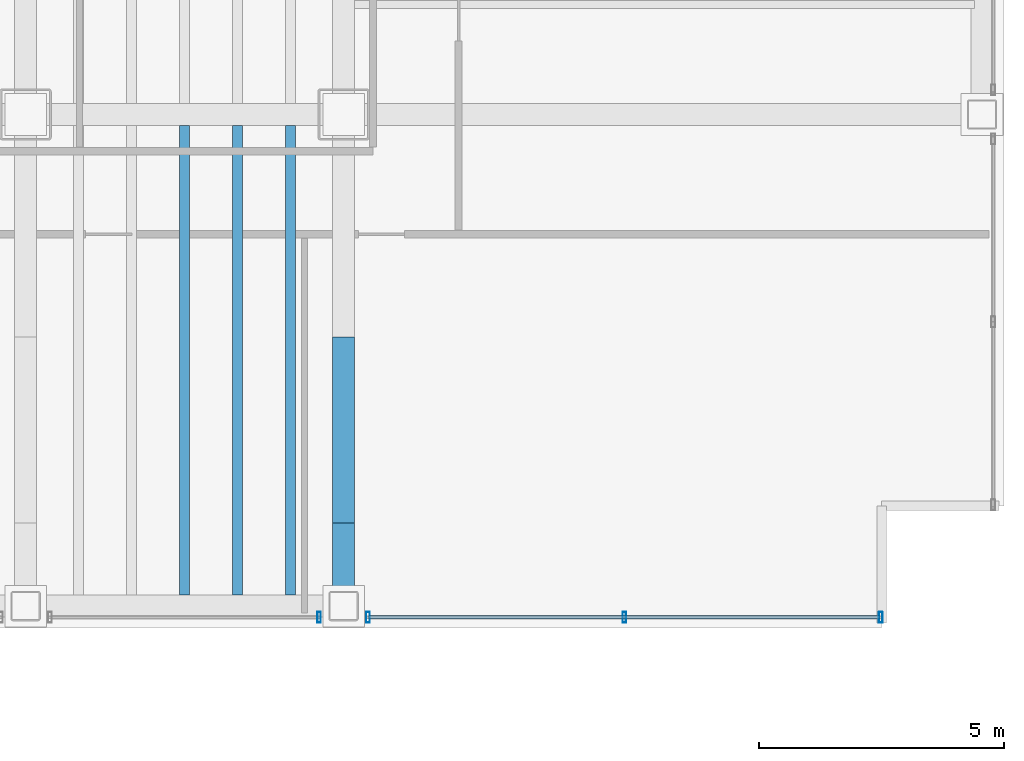
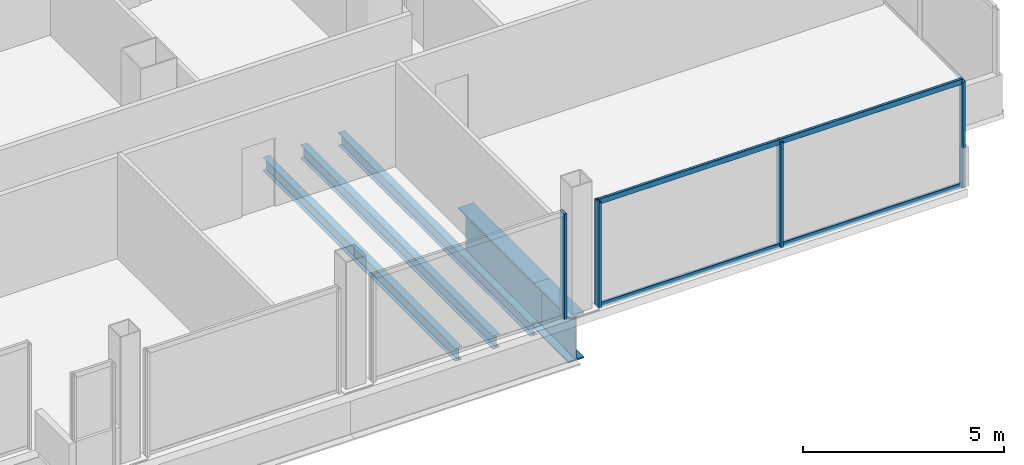
# One storey, part 9 of 21: 6 members, 5 beams, 2 elements without a shape of their own.
"""IFC4 building model written with IfcOpenShell, lengths in metres."""

from ifc_helpers import new_model, si_unit, direction, frame, origin, origin_2d, place, context, subcontext, project, spatial, hollow_rectangle, i_section, extrude, material, material_profile, profile_set, type_object, element, aggregate, save


model = new_model("IFC4")

# Units and contexts
model_context = context("Model", 3, precision=1e-05, world=origin(), true_north=direction((0.0, 1.0)))
body_context = subcontext(model_context, "Body", "Model", "MODEL_VIEW")
ifc_project = project(units=[si_unit("LENGTHUNIT", "METRE"), si_unit("AREAUNIT", "SQUARE_METRE"), si_unit("VOLUMEUNIT", "CUBIC_METRE"), si_unit("PLANEANGLEUNIT", "RADIAN"), si_unit("MASSUNIT", "GRAM", prefix="KILO")], contexts=[model_context])

# Site, building, storey
site_placement = place(None, origin())
site = spatial("IfcSite", under=ifc_project, at=site_placement, CompositionType="ELEMENT")
building_placement = place(site_placement, origin())
building = spatial("IfcBuilding", under=site, at=building_placement, Name="Noeulbin Bourse Tower", CompositionType="ELEMENT")
storey_placement = place(building_placement, frame((0.0, 0.0, 81.10009765625)))
storey = spatial("IfcBuildingStorey", under=building, at=storey_placement, Name="L20", CompositionType="ELEMENT", Elevation=81.10009765625)

# Beams
ifc_material_1 = material(Name="Steel S355", Category="steel")
ifc_material_profile_1 = material_profile(ifc_material_1, i_section(OverallWidth=0.199951171875, OverallDepth=0.39990234375, WebThickness=0.008056640625, FlangeThickness=0.012939453125, FilletRadius=0.01611328125, at=origin_2d()), Name="H-400x200x8x13", Category="LoadBearing")
ifc_profile_set_1 = profile_set([ifc_material_profile_1], Name="Steel S355")
beam_type_1 = type_object("IfcBeamType", Name="BM-SEC-400", PredefinedType="BEAM", material=ifc_profile_set_1)
for number, where, z_axis, x_axis, name in (
    (1, (40.75, 10.175048828125, -0.440185546875), (0.0, 1.0, 0.0), (-1.0, 0.0, 0.0), "Tower Composite Joist L20-61"),
    (2, (41.833251953125, 10.175048828125, -0.440185546875), (0.0, 1.0, 0.0), (-1.0, 0.0, 0.0), "Tower Composite Joist L20-64"),
    (3, (42.916748046875, 10.175048828125, -0.440185546875), (0.0, 1.0, 0.0), (-1.0, 0.0, 0.0), "Tower Composite Joist L20-67"),
):
    element("IfcBeam", number, at=place(storey_placement, frame(where, z_axis=z_axis, x_axis=x_axis)), inside=storey, type_object=beam_type_1, Name=name, PredefinedType="BEAM", context=body_context, shape_type="SweptSolid", body=[
        extrude(i_section(OverallWidth=0.199951171875, OverallDepth=0.39990234375, WebThickness=0.008056640625, FlangeThickness=0.012939453125, FilletRadius=0.01611328125, at=origin_2d()), origin(), (0.0, 0.0, 1.0), 9.599853515625),
    ])
ifc_material_2 = material(Name="Steel S460", Category="steel")
ifc_material_profile_2 = material_profile(ifc_material_2, i_section(OverallWidth=0.449951171875, OverallDepth=1.39990234375, WebThickness=0.02392578125, FlangeThickness=0.0400390625, FilletRadius=0.02392578125, at=origin_2d()), Name="PG-1400x450x24x40", Category="LoadBearing")
ifc_profile_set_2 = profile_set([ifc_material_profile_2], Name="Steel S460")
beam_type_2 = type_object("IfcBeamType", Name="BM-TRF-1400", PredefinedType="USERDEFINED", material=ifc_profile_set_2)
beam_1_placement = place(storey_placement, frame((44.0, 9.949951171875, -0.940185546875), z_axis=(0.0, 1.0, 0.0), x_axis=(-1.0, 0.0, 0.0)))
element("IfcBeam", 4, at=beam_1_placement, inside=storey, type_object=beam_type_2, Name="Tower Primary Girder NS L20-5.1", ObjectType="GIRDER", PredefinedType="USERDEFINED", context=body_context, shape_type="SweptSolid", body=[
    extrude(i_section(OverallWidth=0.449951171875, OverallDepth=1.39990234375, WebThickness=0.02392578125, FlangeThickness=0.0400390625, FilletRadius=0.02392578125, at=origin_2d()), origin(), (0.0, 0.0, 1.0), 1.699951171875),
])
beam_2_placement = place(storey_placement, frame((44.0, 11.64990234375, -0.940185546875), z_axis=(0.0, 1.0, 0.0), x_axis=(-1.0, 0.0, 0.0)))
element("IfcBeam", 5, at=beam_2_placement, inside=storey, type_object=beam_type_2, Name="Tower Primary Girder NS L20-5.2", ObjectType="GIRDER", PredefinedType="USERDEFINED", context=body_context, shape_type="SweptSolid", body=[
    extrude(i_section(OverallWidth=0.449951171875, OverallDepth=1.39990234375, WebThickness=0.02392578125, FlangeThickness=0.0400390625, FilletRadius=0.02392578125, at=origin_2d()), origin(), (0.0, 0.0, 1.0), 3.800048828125),
])

# Curtain wall, member
ifc_material_3 = material(Name="Dark Solar-Control Double Glazing", Category="glass")
curtain_wall_type = type_object("IfcCurtainWallType", Name="CW-SYS-2", PredefinedType="NOTDEFINED", material=ifc_material_3)
curtain_wall_1_placement = place(storey_placement, origin())
curtain_wall_1 = element("IfcCurtainWall", 6, at=curtain_wall_1_placement, inside=storey, type_object=curtain_wall_type, Name="Unitised Curtain Wall CW-L20-S3-S3", PredefinedType="NOTDEFINED")
ifc_material_4 = material(Name="Anodised Aluminium 6063-T6", Category="aluminium")
ifc_material_profile_3 = material_profile(ifc_material_4, hollow_rectangle(XDim=0.074951171875, YDim=0.219970703125, WallThickness=0.0048828125, InnerFilletRadius=0.00244140625, OuterFilletRadius=0.0048828125, at=origin_2d()), Name="ALU-MULL-75x220x5", Category="LoadBearing")
ifc_profile_set_3 = profile_set([ifc_material_profile_3], Name="Anodised Aluminium 6063-T6")
member_type_1 = type_object("IfcMemberType", Name="CW-SYS-2-MUL", PredefinedType="MULLION", material=ifc_profile_set_3)
member_1_placement = place(storey_placement, frame((43.5, 9.719970703125, -0.02001953125), z_axis=(0.0, 0.0, 1.0), x_axis=(1.0, 0.0, 0.0)))
member_1 = element("IfcMember", 7, at=member_1_placement, type_object=member_type_1, Name="Curtain Wall Mullion CW-L20-S3-S3-M01", PredefinedType="MULLION", context=body_context, shape_type="SweptSolid", body=[
    extrude(hollow_rectangle(XDim=0.074951171875, YDim=0.219970703125, WallThickness=0.0048828125, InnerFilletRadius=0.00244140625, OuterFilletRadius=0.0048828125, at=origin_2d()), origin(), (0.0, 0.0, 1.0), 3.219970703125),
])
aggregate(curtain_wall_1, [member_1])

# Curtain wall, members
curtain_wall_2_placement = place(storey_placement, origin())
curtain_wall_2 = element("IfcCurtainWall", 8, at=curtain_wall_2_placement, inside=storey, type_object=curtain_wall_type, Name="Unitised Curtain Wall CW-L20-S3-S4", PredefinedType="NOTDEFINED")
member_2_placement = place(storey_placement, frame((44.5, 9.719970703125, -0.02001953125), z_axis=(0.0, 0.0, 1.0), x_axis=(1.0, 0.0, 0.0)))
member_2 = element("IfcMember", 9, at=member_2_placement, type_object=member_type_1, Name="Curtain Wall Mullion CW-L20-S3-S4-M00", PredefinedType="MULLION", context=body_context, shape_type="SweptSolid", body=[
    extrude(hollow_rectangle(XDim=0.074951171875, YDim=0.219970703125, WallThickness=0.0048828125, InnerFilletRadius=0.00244140625, OuterFilletRadius=0.0048828125, at=origin_2d()), origin(), (0.0, 0.0, 1.0), 3.219970703125),
])
member_3_placement = place(storey_placement, frame((49.739990234375, 9.719970703125, -0.02001953125), z_axis=(0.0, 0.0, 1.0), x_axis=(1.0, 0.0, 0.0)))
member_3 = element("IfcMember", 10, at=member_3_placement, type_object=member_type_1, Name="Curtain Wall Mullion CW-L20-S3-S4-M01", PredefinedType="MULLION", context=body_context, shape_type="SweptSolid", body=[
    extrude(hollow_rectangle(XDim=0.074951171875, YDim=0.219970703125, WallThickness=0.0048828125, InnerFilletRadius=0.00244140625, OuterFilletRadius=0.0048828125, at=origin_2d()), origin(), (0.0, 0.0, 1.0), 3.219970703125),
])
member_4_placement = place(storey_placement, frame((54.97998046875, 9.719970703125, -0.02001953125), z_axis=(0.0, 0.0, 1.0), x_axis=(1.0, 0.0, 0.0)))
member_4 = element("IfcMember", 11, at=member_4_placement, type_object=member_type_1, Name="Curtain Wall Mullion CW-L20-S3-S4-M02", PredefinedType="MULLION", context=body_context, shape_type="SweptSolid", body=[
    extrude(hollow_rectangle(XDim=0.074951171875, YDim=0.219970703125, WallThickness=0.0048828125, InnerFilletRadius=0.00244140625, OuterFilletRadius=0.0048828125, at=origin_2d()), origin(), (0.0, 0.0, 1.0), 3.219970703125),
])
ifc_material_profile_4 = material_profile(ifc_material_4, hollow_rectangle(XDim=0.074951171875, YDim=0.159912109375, WallThickness=0.0048828125, InnerFilletRadius=0.00244140625, OuterFilletRadius=0.0048828125, at=origin_2d()), Name="ALU-TRAN-75x160x5", Category="LoadBearing")
ifc_profile_set_4 = profile_set([ifc_material_profile_4], Name="Anodised Aluminium 6063-T6")
member_type_2 = type_object("IfcMemberType", Name="CW-SYS-2-TRN", PredefinedType="USERDEFINED", material=ifc_profile_set_4)
member_5_placement = place(storey_placement, frame((44.510009765625, 9.719970703125, 0.010009765625), z_axis=(1.0, 0.0, 0.0), x_axis=(0.0, 1.0, 0.0)))
member_5 = element("IfcMember", 12, at=member_5_placement, type_object=member_type_2, Name="Curtain Wall Transom CW-L20-S3-S4-T00", ObjectType="TRANSOM", PredefinedType="USERDEFINED", context=body_context, shape_type="SweptSolid", body=[
    extrude(hollow_rectangle(XDim=0.074951171875, YDim=0.159912109375, WallThickness=0.0048828125, InnerFilletRadius=0.00244140625, OuterFilletRadius=0.0048828125, at=origin_2d()), origin(), (0.0, 0.0, 1.0), 10.4599609375),
])
member_6_placement = place(storey_placement, frame((44.510009765625, 9.719970703125, 3.169921875), z_axis=(1.0, 0.0, 0.0), x_axis=(0.0, 1.0, 0.0)))
member_6 = element("IfcMember", 13, at=member_6_placement, type_object=member_type_2, Name="Curtain Wall Transom CW-L20-S3-S4-T01", ObjectType="TRANSOM", PredefinedType="USERDEFINED", context=body_context, shape_type="SweptSolid", body=[
    extrude(hollow_rectangle(XDim=0.074951171875, YDim=0.159912109375, WallThickness=0.0048828125, InnerFilletRadius=0.00244140625, OuterFilletRadius=0.0048828125, at=origin_2d()), origin(), (0.0, 0.0, 1.0), 10.4599609375),
])
aggregate(curtain_wall_2, [member_2, member_3, member_4, member_5, member_6])

save(model, "model.ifc")
